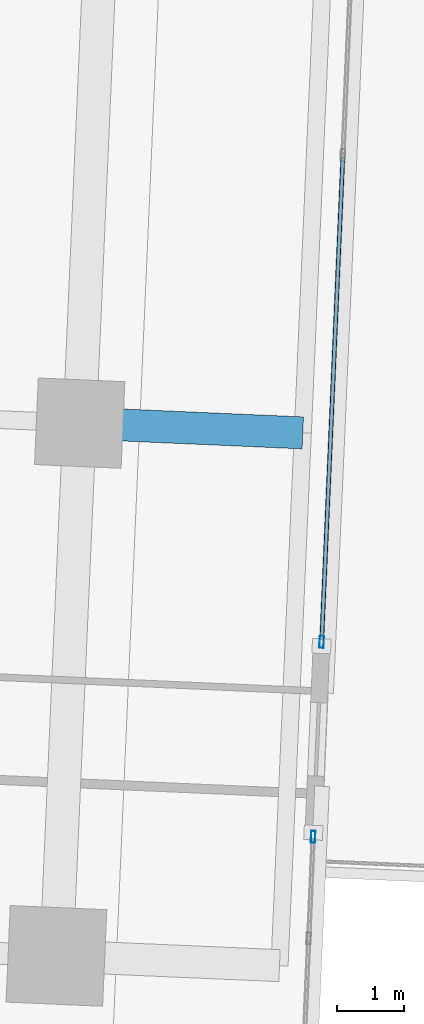
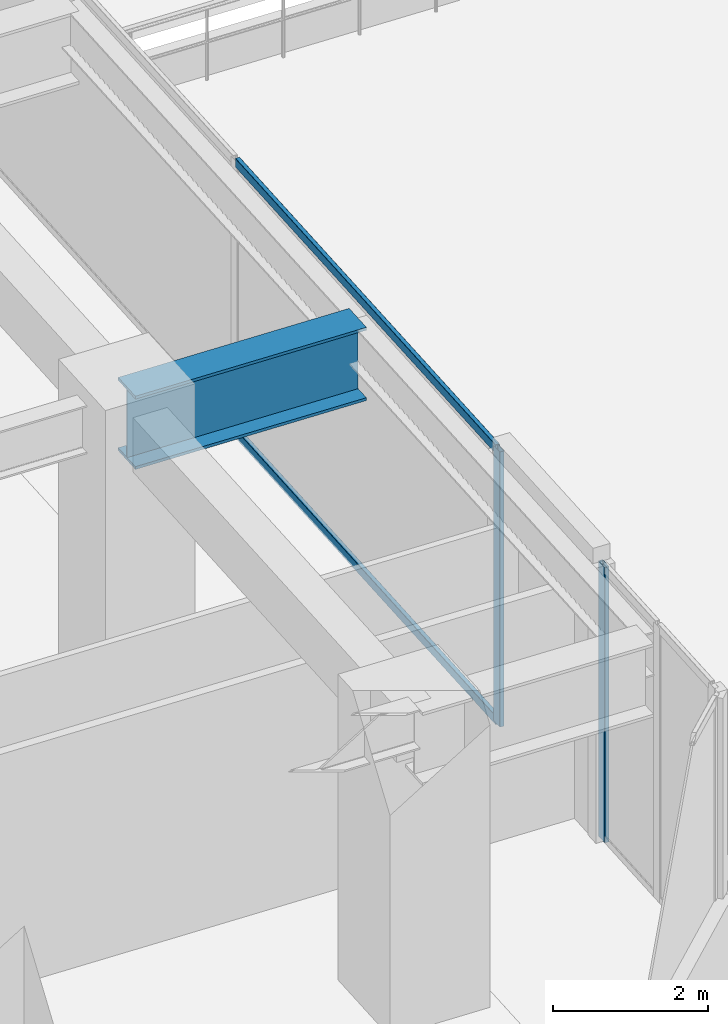
# One storey, part 15 of 33: 4 members, 1 beam, 2 elements without a shape of their own.
"""IFC4 building model written with IfcOpenShell, lengths in metres."""

from ifc_helpers import new_model, si_unit, direction, frame, origin, origin_2d, place, context, subcontext, project, spatial, hollow_rectangle, i_section, extrude, source, transform, mapped, material, material_profile, profile_set, type_object, element, aggregate, save


model = new_model("IFC4")

# Units and contexts
model_context = context("Model", 3, precision=1e-05, world=origin(), true_north=direction((0.0, 1.0)))
body_context = subcontext(model_context, "Body", "Model", "MODEL_VIEW")
ifc_project = project(units=[si_unit("LENGTHUNIT", "METRE"), si_unit("AREAUNIT", "SQUARE_METRE"), si_unit("VOLUMEUNIT", "CUBIC_METRE"), si_unit("PLANEANGLEUNIT", "RADIAN"), si_unit("MASSUNIT", "GRAM", prefix="KILO")], contexts=[model_context])

# Site, building, storey
site_placement = place(None, origin())
site = spatial("IfcSite", under=ifc_project, at=site_placement, CompositionType="ELEMENT")
building_placement = place(site_placement, origin())
building = spatial("IfcBuilding", under=site, at=building_placement, Name="Torre Montelarca", CompositionType="ELEMENT")
storey_placement = place(building_placement, frame((0.0, 0.0, 32.800048828125)))
storey = spatial("IfcBuildingStorey", under=building, at=storey_placement, Name="L07", CompositionType="ELEMENT", Elevation=32.800048828125)

# Beam
ifc_material_1 = material(Name="Steel ASTM A572 Grade 50", Category="steel")
ifc_material_profile_1 = material_profile(ifc_material_1, i_section(OverallWidth=0.47998046875, OverallDepth=1.14990234375, WebThickness=0.02197265625, FlangeThickness=0.044921875, at=origin_2d()), Name="PG1150X480X22X45", Category="steel")
ifc_profile_set_1 = profile_set([ifc_material_profile_1], Name="Steel ASTM A572 Grade 50")
beam_type = type_object("IfcBeamType", Name="BM-CG-PG1400-EXT", PredefinedType="USERDEFINED", material=ifc_profile_set_1)
shared_shape_1 = source(origin(), body_context, "Body", "SweptSolid", [
    extrude(i_section(OverallWidth=0.47998046875, OverallDepth=1.14990234375, WebThickness=0.02197265625, FlangeThickness=0.044921875, at=origin_2d()), origin(), (0.0, 0.0, 1.0), 3.35009765625),
])
beam_placement = place(storey_placement, frame((59.96337890625, 30.32080078125, 3.98486328125), z_axis=(0.999046785178, -0.043652274004, 0.0), x_axis=(0.043652274004, 0.999046785178, 0.0)))
element("IfcBeam", 1, at=beam_placement, inside=storey, type_object=beam_type, Name="L07 Sliding Tray Cantilever Girder East Y=32m (FLR)", ObjectType="CANTILEVER GIRDER", PredefinedType="USERDEFINED", context=body_context, shape_type="MappedRepresentation", body=[
    mapped(shared_shape_1, transform((0.0, 0.0, 0.0), scale=1.0)),
])

# Curtain wall, member
ifc_material_2 = material(Name="Insulated low-E laminated glass", Category="glass")
curtain_wall_type = type_object("IfcCurtainWallType", Name="CW-SYS-Z1", PredefinedType="USERDEFINED", material=ifc_material_2)
curtain_wall_1_placement = place(storey_placement, origin())
curtain_wall_1 = element("IfcCurtainWall", 2, at=curtain_wall_1_placement, inside=storey, type_object=curtain_wall_type, Name="L07 Curtain Wall Run CW-T3-L07-E06-B1", ObjectType="UNITISED GLAZING", PredefinedType="USERDEFINED")
ifc_material_3 = material(Name="Anodised aluminium AA 6063-T6", Category="aluminium")
ifc_material_profile_2 = material_profile(ifc_material_3, hollow_rectangle(XDim=0.06494140625, YDim=0.179931640625, WallThickness=0.00390625, InnerFilletRadius=0.00390625, OuterFilletRadius=0.008056640625, at=origin_2d()), Name="ALU65X180X4", Category="aluminium")
ifc_profile_set_2 = profile_set([ifc_material_profile_2], Name="Anodised aluminium AA 6063-T6")
member_type_1 = type_object("IfcMemberType", Name="CWM-ALU180", PredefinedType="MULLION", material=ifc_profile_set_2)
shared_shape_2 = source(origin(), body_context, "Body", "SweptSolid", [
    extrude(hollow_rectangle(XDim=0.06494140625, YDim=0.179931640625, WallThickness=0.00390625, InnerFilletRadius=0.00390625, OuterFilletRadius=0.008056640625, at=origin_2d()), origin(), (0.0, 0.0, 1.0), 4.320068359375),
])
member_1_placement = place(storey_placement, frame((63.466064453125, 24.115234375, 0.0), z_axis=(0.0, 0.0, 1.0), x_axis=(-0.999048098092, 0.043622215647, 0.0)))
member_1 = element("IfcMember", 3, at=member_1_placement, type_object=member_type_1, Name="CW mullion 3", PredefinedType="MULLION", context=body_context, shape_type="MappedRepresentation", body=[
    mapped(shared_shape_2, transform((0.0, 0.0, 0.0), scale=1.0)),
])
aggregate(curtain_wall_1, [member_1])

# Curtain wall, members
curtain_wall_2_placement = place(storey_placement, origin())
curtain_wall_2 = element("IfcCurtainWall", 4, at=curtain_wall_2_placement, inside=storey, type_object=curtain_wall_type, Name="L07 Curtain Wall Run CW-T3-L07-E06-B2", ObjectType="UNITISED GLAZING", PredefinedType="USERDEFINED")
member_2_placement = place(storey_placement, frame((63.593505859375, 27.03759765625, 0.0), z_axis=(0.0, 0.0, 1.0), x_axis=(-0.999048203112, 0.043619810397, 0.0)))
member_2 = element("IfcMember", 5, at=member_2_placement, type_object=member_type_1, Name="CW mullion 1", PredefinedType="MULLION", context=body_context, shape_type="MappedRepresentation", body=[
    mapped(shared_shape_2, transform((0.0, 0.0, 0.0), scale=1.0)),
])
ifc_material_profile_3 = material_profile(ifc_material_3, hollow_rectangle(XDim=0.06494140625, YDim=0.139892578125, WallThickness=0.00390625, InnerFilletRadius=0.00390625, OuterFilletRadius=0.008056640625, at=origin_2d()), Name="ALU65X140X4", Category="aluminium")
ifc_profile_set_3 = profile_set([ifc_material_profile_3], Name="Anodised aluminium AA 6063-T6")
member_type_2 = type_object("IfcMemberType", Name="CWT-ALU140", PredefinedType="USERDEFINED", material=ifc_profile_set_3)
shared_shape_3 = source(origin(), body_context, "Body", "SweptSolid", [
    extrude(hollow_rectangle(XDim=0.06494140625, YDim=0.139892578125, WallThickness=0.00390625, InnerFilletRadius=0.00390625, OuterFilletRadius=0.008056640625, at=origin_2d()), origin(), (0.0, 0.0, 1.0), 7.24658203125),
])
member_3_placement = place(storey_placement, frame((63.594970703125, 27.070068359375, 0.032470703125), z_axis=(0.043628748823, 0.999047812808, 0.0), x_axis=(-0.999047812808, 0.043628748823, 0.0)))
member_3 = element("IfcMember", 6, at=member_3_placement, type_object=member_type_2, Name="CW transom 1.1", ObjectType="TRANSOM", PredefinedType="USERDEFINED", context=body_context, shape_type="MappedRepresentation", body=[
    mapped(shared_shape_3, transform((0.0, 0.0, 0.0), scale=1.0)),
])
member_4_placement = place(storey_placement, frame((63.594970703125, 27.070068359375, 4.287353515625), z_axis=(0.043628748823, 0.999047812808, 0.0), x_axis=(-0.999047812808, 0.043628748823, 0.0)))
member_4 = element("IfcMember", 7, at=member_4_placement, type_object=member_type_2, Name="CW transom 1.2", ObjectType="TRANSOM", PredefinedType="USERDEFINED", context=body_context, shape_type="MappedRepresentation", body=[
    mapped(shared_shape_3, transform((0.0, 0.0, 0.0), scale=1.0)),
])
aggregate(curtain_wall_2, [member_2, member_3, member_4])

save(model, "model.ifc")
